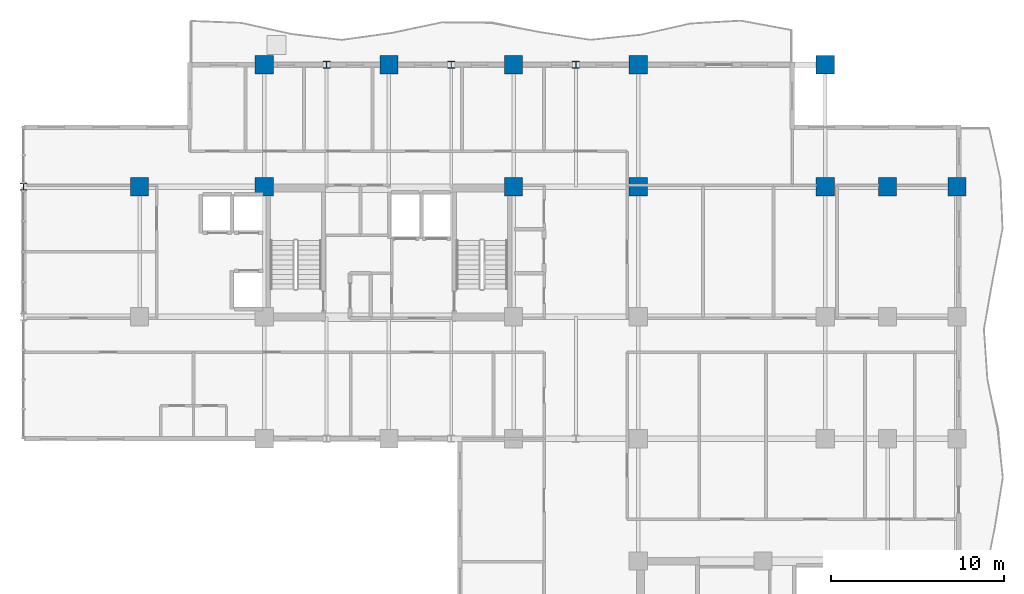
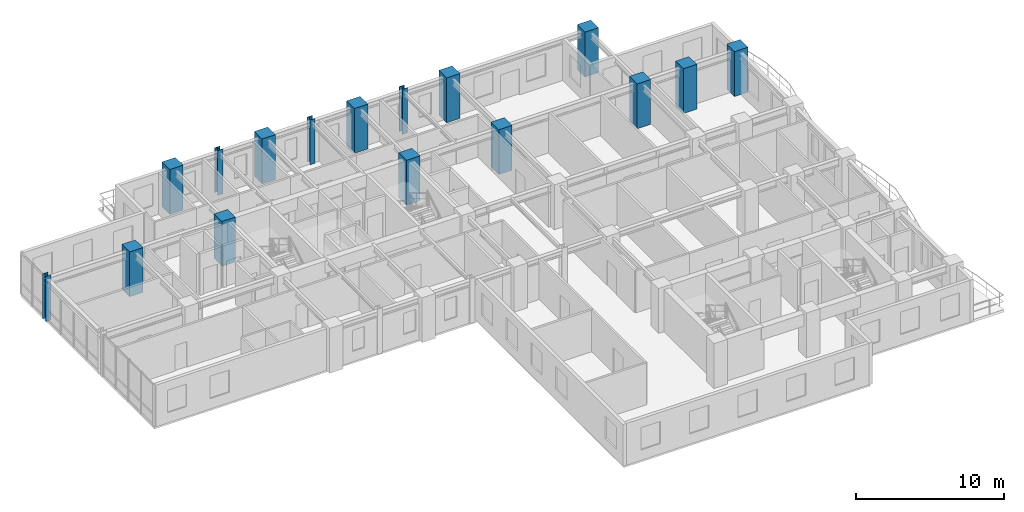
# One storey, part 2 of 18: 16 columns.
"""IFC4 building model written with IfcOpenShell, lengths in metres."""

from ifc_helpers import new_model, si_unit, direction, frame, origin, origin_2d, place, context, subcontext, project, spatial, rectangle, i_section, extrude, source, transform, mapped, material, material_profile, profile_set, type_object, element, save


model = new_model("IFC4")

# Units and contexts
model_context = context("Model", 3, precision=1e-05, world=origin(), true_north=direction((0.0, 1.0)))
body_context = subcontext(model_context, "Body", "Model", "MODEL_VIEW")
ifc_project = project(units=[si_unit("LENGTHUNIT", "METRE"), si_unit("AREAUNIT", "SQUARE_METRE"), si_unit("VOLUMEUNIT", "CUBIC_METRE"), si_unit("PLANEANGLEUNIT", "RADIAN"), si_unit("MASSUNIT", "GRAM", prefix="KILO")], contexts=[model_context])

# Site, building, storey
site_placement = place(None, origin())
site = spatial("IfcSite", under=ifc_project, at=site_placement, CompositionType="ELEMENT")
building_placement = place(site_placement, origin())
building = spatial("IfcBuilding", under=site, at=building_placement, Name="Kaliganga Portal Commons", CompositionType="ELEMENT")
storey_placement = place(building_placement, frame((0.0, 0.0, 169.800048828125)))
storey = spatial("IfcBuildingStorey", under=building, at=storey_placement, Name="L43", CompositionType="ELEMENT", Elevation=169.800048828125)

# Columns
ifc_material_1 = material(Name="Concrete C60/75", Category="concrete")
ifc_material_profile_1 = material_profile(ifc_material_1, rectangle(XDim=1.050048828125, YDim=1.050048828125, at=origin_2d()), Name="RC 1050x1050")
ifc_profile_set_1 = profile_set([ifc_material_profile_1], Name="Concrete C60/75")
column_type_1 = type_object("IfcColumnType", Name="COL-MEGA-Z3", PredefinedType="COLUMN", material=ifc_profile_set_1)
shared_shape_1 = source(origin(), body_context, "Body", "SweptSolid", [
    extrude(rectangle(XDim=1.050048828125, YDim=1.050048828125, at=origin_2d()), origin(), (0.0, 0.0, 1.0), 3.699951171875),
])
for number, where, z_axis, x_axis, name in (
    (1, (7.199951171875, 36.14990234375, 0.0), (0.0, 0.0, 1.0), (1.0, 0.0, 0.0), "Column MC-04 L43"),
    (2, (14.39990234375, 36.14990234375, 0.0), (0.0, 0.0, 1.0), (1.0, 0.0, 0.0), "Column MC-04 L43"),
    (3, (14.39990234375, 43.199951171875, 0.0), (0.0, 0.0, 1.0), (1.0, 0.0, 0.0), "Column MC-04 L43"),
    (4, (21.60009765625, 43.199951171875, 0.0), (0.0, 0.0, 1.0), (1.0, 0.0, 0.0), "Column MC-04 L43"),
    (5, (28.800048828125, 36.14990234375, 0.0), (0.0, 0.0, 1.0), (1.0, 0.0, 0.0), "Column MC-04 L43"),
    (6, (28.800048828125, 43.199951171875, 0.0), (0.0, 0.0, 1.0), (1.0, 0.0, 0.0), "Column MC-04 L43"),
    (7, (36.0, 43.199951171875, 0.0), (0.0, 0.0, 1.0), (1.0, 0.0, 0.0), "Column MC-04 L43"),
    (8, (36.0, 36.14990234375, 0.0), (0.0, 0.0, 1.0), (1.0, 0.0, 0.0), "Column MC-04 L43"),
    (9, (46.800048828125, 36.14990234375, 0.0), (0.0, 0.0, 1.0), (1.0, 0.0, 0.0), "Column MC-04 L43"),
    (10, (46.800048828125, 43.199951171875, 0.0), (0.0, 0.0, 1.0), (1.0, 0.0, 0.0), "Column MC-04 L43"),
    (11, (50.39990234375, 36.14990234375, 0.0), (0.0, 0.0, 1.0), (1.0, 0.0, 0.0), "Column MC-04 L43"),
    (12, (54.39990234375, 36.14990234375, 0.0), (0.0, 0.0, 1.0), (1.0, 0.0, 0.0), "Column MC-04 L43"),
):
    element("IfcColumn", number, at=place(storey_placement, frame(where, z_axis=z_axis, x_axis=x_axis)), inside=storey, type_object=column_type_1, Name=name, PredefinedType="COLUMN", context=body_context, shape_type="MappedRepresentation", body=[
        mapped(shared_shape_1, transform((0.0, 0.0, 0.0), x_axis=(1.0, 0.0, 0.0), y_axis=(0.0, 1.0, 0.0), z_axis=(0.0, 0.0, 1.0), scale=1.0)),
    ])
ifc_material_2 = material(Name="Structural steel S460M", Category="steel")
ifc_material_profile_2 = material_profile(ifc_material_2, i_section(OverallWidth=0.404052734375, OverallDepth=0.4140625, WebThickness=0.0205078125, FlangeThickness=0.028076171875, FilletRadius=0.014892578125, at=origin_2d()), Name="HD 400x347")
ifc_profile_set_2 = profile_set([ifc_material_profile_2], Name="Structural steel S460M wide-flange")
column_type_2 = type_object("IfcColumnType", Name="COL-TUBE-B3", PredefinedType="COLUMN", material=ifc_profile_set_2)
shared_shape_2 = source(origin(), body_context, "Body", "SweptSolid", [
    extrude(i_section(OverallWidth=0.404052734375, OverallDepth=0.4140625, WebThickness=0.0205078125, FlangeThickness=0.028076171875, FilletRadius=0.014892578125, at=origin_2d()), origin(), (0.0, 0.0, 1.0), 3.699951171875),
])
for number, where, z_axis, x_axis, name in (
    (13, (0.5, 36.14990234375, 0.0), (0.0, 0.0, 1.0), (1.0, 0.0, 0.0), "Column TC-03 L43"),
    (14, (18.0, 43.199951171875, 0.0), (0.0, 0.0, 1.0), (1.0, 0.0, 0.0), "Column TC-03 L43"),
    (15, (25.199951171875, 43.199951171875, 0.0), (0.0, 0.0, 1.0), (1.0, 0.0, 0.0), "Column TC-03 L43"),
    (16, (32.39990234375, 43.199951171875, 0.0), (0.0, 0.0, 1.0), (1.0, 0.0, 0.0), "Column TC-03 L43"),
):
    element("IfcColumn", number, at=place(storey_placement, frame(where, z_axis=z_axis, x_axis=x_axis)), inside=storey, type_object=column_type_2, Name=name, PredefinedType="COLUMN", context=body_context, shape_type="MappedRepresentation", body=[
        mapped(shared_shape_2, transform((0.0, 0.0, 0.0), x_axis=(1.0, 0.0, 0.0), y_axis=(0.0, 1.0, 0.0), z_axis=(0.0, 0.0, 1.0), scale=1.0)),
    ])

save(model, "model.ifc")
